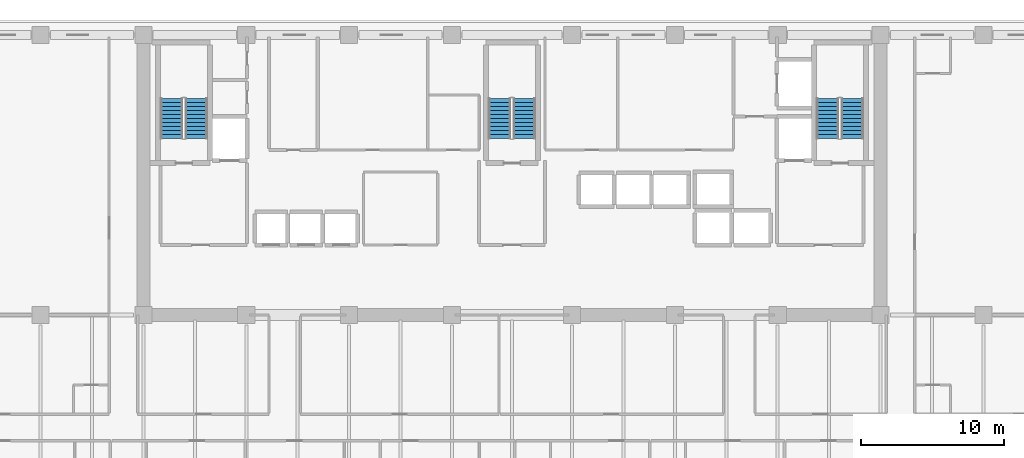
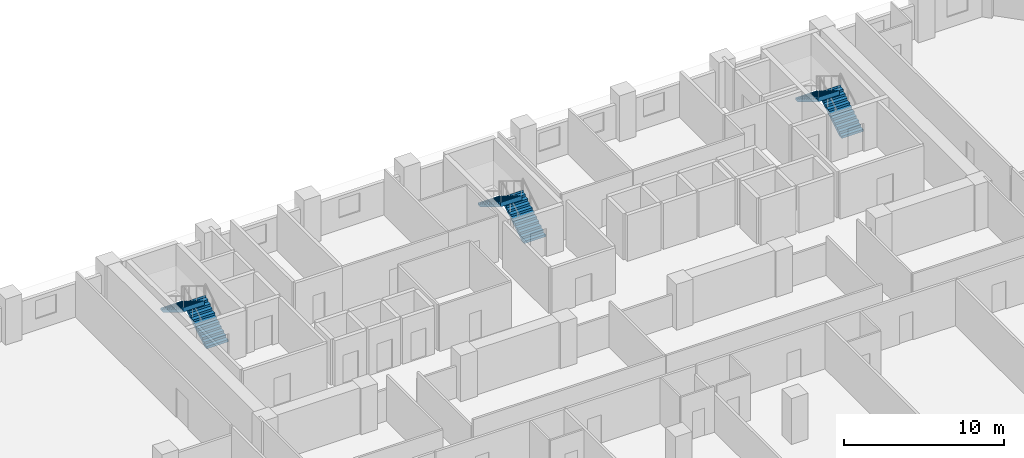
# One storey, part 10 of 14: 6 stair flights, 3 elements without a shape of their own.
"""IFC4 building model written with IfcOpenShell, lengths in metres."""

from ifc_helpers import new_model, si_unit, direction, frame, origin, place, context, subcontext, project, spatial, polyline, outline, extrude, material, type_object, element, aggregate, save


model = new_model("IFC4")

# Units and contexts
model_context = context("Model", 3, precision=1e-05, world=origin(), true_north=direction((0.0, 1.0)))
body_context = subcontext(model_context, "Body", "Model", "MODEL_VIEW")
ifc_project = project(units=[si_unit("LENGTHUNIT", "METRE"), si_unit("AREAUNIT", "SQUARE_METRE"), si_unit("VOLUMEUNIT", "CUBIC_METRE"), si_unit("PLANEANGLEUNIT", "RADIAN"), si_unit("MASSUNIT", "GRAM", prefix="KILO")], contexts=[model_context])

# Site, building, storey
site_placement = place(None, origin())
site = spatial("IfcSite", under=ifc_project, at=site_placement, CompositionType="ELEMENT")
building_placement = place(site_placement, origin())
building = spatial("IfcBuilding", under=site, at=building_placement, Name="Kaelvorn Grand Hotel", CompositionType="ELEMENT")
storey_placement = place(building_placement, frame((0.0, 0.0, 85.550048828125)))
storey = spatial("IfcBuildingStorey", under=building, at=storey_placement, Name="L19", CompositionType="ELEMENT", Elevation=85.550048828125)

# Stair, stair flights
ifc_material = material(Name="Concrete C40/50", Category="concrete")
stair_type = type_object("IfcStairType", Name="STR-DOG-1560-R06", PredefinedType="HALF_TURN_STAIR", material=ifc_material)
stair_1_placement = place(storey_placement, origin())
stair_1 = element("IfcStair", 1, at=stair_1_placement, inside=storey, type_object=stair_type, Name="L19 West Core Exit Stair ST1", PredefinedType="HALF_TURN_STAIR")
stair_flight_type = type_object("IfcStairFlightType", Name="FLG-DOG-1560-R06", PredefinedType="STRAIGHT", material=ifc_material)
stair_flight_1_placement = place(storey_placement, frame((19.89990234375, 41.760009765625, 0.0), z_axis=(0.0, 0.0, 1.0), x_axis=(0.0, 1.0, 0.0)))
stair_flight_1 = element("IfcStairFlight", 2, at=stair_flight_1_placement, type_object=stair_flight_type, Name="ST1 flight 1", NumberOfRisers=11, NumberOfTreads=10, PredefinedType="STRAIGHT", RiserHeight=0.170454545, TreadLength=0.28, context=body_context, shape_type="SweptSolid", body=[
    extrude(outline(polyline([(-0.0048828125, 0.0), (-0.0048828125, 0.0400390625), (0.0, 0.17041015625), (0.280029296875, 0.17041015625), (0.280029296875, 0.3408203125), (0.56005859375, 0.3408203125), (0.56005859375, 0.511474609375), (0.840087890625, 0.511474609375), (0.840087890625, 0.681884765625), (1.1201171875, 0.681884765625), (1.1201171875, 0.852294921875), (1.39990234375, 0.852294921875), (1.39990234375, 1.022705078125), (1.679931640625, 1.022705078125), (1.679931640625, 1.193115234375), (1.9599609375, 1.193115234375), (1.9599609375, 1.363525390625), (2.239990234375, 1.363525390625), (2.239990234375, 1.5341796875), (2.52001953125, 1.5341796875), (2.52001953125, 1.70458984375), (2.800048828125, 1.70458984375), (2.800048828125, 1.875), (2.804931640625, 1.875), (2.804931640625, 1.529052734375), (0.288330078125, 0.0), (-0.0048828125, 0.0)])), frame((0.0, 0.780029296875, 0.0), z_axis=(0.0, -1.0, 0.0), x_axis=(1.0, 0.0, 0.0)), (0.0, 0.0, 1.0), 1.56005859375),
])
stair_flight_2_placement = place(storey_placement, frame((18.179931640625, 44.56005859375, 1.875), z_axis=(0.0, 0.0, 1.0), x_axis=(0.0, -1.0, 0.0)))
stair_flight_2 = element("IfcStairFlight", 3, at=stair_flight_2_placement, type_object=stair_flight_type, Name="ST1 flight 2", NumberOfRisers=11, NumberOfTreads=10, PredefinedType="STRAIGHT", RiserHeight=0.170454545, TreadLength=0.28, context=body_context, shape_type="SweptSolid", body=[
    extrude(outline(polyline([(-0.0048828125, 0.0), (-0.0048828125, 0.0400390625), (0.0, 0.17041015625), (0.280029296875, 0.17041015625), (0.280029296875, 0.3408203125), (0.56005859375, 0.3408203125), (0.56005859375, 0.511474609375), (0.840087890625, 0.511474609375), (0.840087890625, 0.681884765625), (1.1201171875, 0.681884765625), (1.1201171875, 0.852294921875), (1.39990234375, 0.852294921875), (1.39990234375, 1.022705078125), (1.679931640625, 1.022705078125), (1.679931640625, 1.193115234375), (1.9599609375, 1.193115234375), (1.9599609375, 1.363525390625), (2.239990234375, 1.363525390625), (2.239990234375, 1.5341796875), (2.52001953125, 1.5341796875), (2.52001953125, 1.70458984375), (2.800048828125, 1.70458984375), (2.800048828125, 1.875), (2.804931640625, 1.875), (2.804931640625, 1.529052734375), (0.288330078125, 0.0), (-0.0048828125, 0.0)])), frame((0.0, 0.780029296875, 0.0), z_axis=(0.0, -1.0, 0.0), x_axis=(1.0, 0.0, 0.0)), (0.0, 0.0, 1.0), 1.56005859375),
])
aggregate(stair_1, [stair_flight_1, stair_flight_2])

stair_2_placement = place(storey_placement, origin())
stair_2 = element("IfcStair", 4, at=stair_2_placement, inside=storey, type_object=stair_type, Name="L19 Central Core Exit Stair ST2", PredefinedType="HALF_TURN_STAIR")
stair_flight_3_placement = place(storey_placement, frame((42.860107421875, 41.760009765625, 0.0), z_axis=(0.0, 0.0, 1.0), x_axis=(0.0, 1.0, 0.0)))
stair_flight_3 = element("IfcStairFlight", 5, at=stair_flight_3_placement, type_object=stair_flight_type, Name="ST2 flight 1", NumberOfRisers=11, NumberOfTreads=10, PredefinedType="STRAIGHT", RiserHeight=0.170454545, TreadLength=0.28, context=body_context, shape_type="SweptSolid", body=[
    extrude(outline(polyline([(-0.0048828125, 0.0), (-0.0048828125, 0.0400390625), (0.0, 0.17041015625), (0.280029296875, 0.17041015625), (0.280029296875, 0.3408203125), (0.56005859375, 0.3408203125), (0.56005859375, 0.511474609375), (0.840087890625, 0.511474609375), (0.840087890625, 0.681884765625), (1.1201171875, 0.681884765625), (1.1201171875, 0.852294921875), (1.39990234375, 0.852294921875), (1.39990234375, 1.022705078125), (1.679931640625, 1.022705078125), (1.679931640625, 1.193115234375), (1.9599609375, 1.193115234375), (1.9599609375, 1.363525390625), (2.239990234375, 1.363525390625), (2.239990234375, 1.5341796875), (2.52001953125, 1.5341796875), (2.52001953125, 1.70458984375), (2.800048828125, 1.70458984375), (2.800048828125, 1.875), (2.804931640625, 1.875), (2.804931640625, 1.529052734375), (0.288330078125, 0.0), (-0.0048828125, 0.0)])), frame((0.0, 0.780029296875, 0.0), z_axis=(0.0, -1.0, 0.0), x_axis=(1.0, 0.0, 0.0)), (0.0, 0.0, 1.0), 1.56005859375),
])
stair_flight_4_placement = place(storey_placement, frame((41.139892578125, 44.56005859375, 1.875), z_axis=(0.0, 0.0, 1.0), x_axis=(0.0, -1.0, 0.0)))
stair_flight_4 = element("IfcStairFlight", 6, at=stair_flight_4_placement, type_object=stair_flight_type, Name="ST2 flight 2", NumberOfRisers=11, NumberOfTreads=10, PredefinedType="STRAIGHT", RiserHeight=0.170454545, TreadLength=0.28, context=body_context, shape_type="SweptSolid", body=[
    extrude(outline(polyline([(-0.0048828125, 0.0), (-0.0048828125, 0.0400390625), (0.0, 0.17041015625), (0.280029296875, 0.17041015625), (0.280029296875, 0.3408203125), (0.56005859375, 0.3408203125), (0.56005859375, 0.511474609375), (0.840087890625, 0.511474609375), (0.840087890625, 0.681884765625), (1.1201171875, 0.681884765625), (1.1201171875, 0.852294921875), (1.39990234375, 0.852294921875), (1.39990234375, 1.022705078125), (1.679931640625, 1.022705078125), (1.679931640625, 1.193115234375), (1.9599609375, 1.193115234375), (1.9599609375, 1.363525390625), (2.239990234375, 1.363525390625), (2.239990234375, 1.5341796875), (2.52001953125, 1.5341796875), (2.52001953125, 1.70458984375), (2.800048828125, 1.70458984375), (2.800048828125, 1.875), (2.804931640625, 1.875), (2.804931640625, 1.529052734375), (0.288330078125, 0.0), (-0.0048828125, 0.0)])), frame((0.0, 0.780029296875, 0.0), z_axis=(0.0, -1.0, 0.0), x_axis=(1.0, 0.0, 0.0)), (0.0, 0.0, 1.0), 1.56005859375),
])
aggregate(stair_2, [stair_flight_3, stair_flight_4])

stair_3_placement = place(storey_placement, origin())
stair_3 = element("IfcStair", 7, at=stair_3_placement, inside=storey, type_object=stair_type, Name="L19 East Core Exit Stair ST3", PredefinedType="HALF_TURN_STAIR")
stair_flight_5_placement = place(storey_placement, frame((65.820068359375, 41.760009765625, 0.0), z_axis=(0.0, 0.0, 1.0), x_axis=(0.0, 1.0, 0.0)))
stair_flight_5 = element("IfcStairFlight", 8, at=stair_flight_5_placement, type_object=stair_flight_type, Name="ST3 flight 1", NumberOfRisers=11, NumberOfTreads=10, PredefinedType="STRAIGHT", RiserHeight=0.170454545, TreadLength=0.28, context=body_context, shape_type="SweptSolid", body=[
    extrude(outline(polyline([(-0.0048828125, 0.0), (-0.0048828125, 0.0400390625), (0.0, 0.17041015625), (0.280029296875, 0.17041015625), (0.280029296875, 0.3408203125), (0.56005859375, 0.3408203125), (0.56005859375, 0.511474609375), (0.840087890625, 0.511474609375), (0.840087890625, 0.681884765625), (1.1201171875, 0.681884765625), (1.1201171875, 0.852294921875), (1.39990234375, 0.852294921875), (1.39990234375, 1.022705078125), (1.679931640625, 1.022705078125), (1.679931640625, 1.193115234375), (1.9599609375, 1.193115234375), (1.9599609375, 1.363525390625), (2.239990234375, 1.363525390625), (2.239990234375, 1.5341796875), (2.52001953125, 1.5341796875), (2.52001953125, 1.70458984375), (2.800048828125, 1.70458984375), (2.800048828125, 1.875), (2.804931640625, 1.875), (2.804931640625, 1.529052734375), (0.288330078125, 0.0), (-0.0048828125, 0.0)])), frame((0.0, 0.780029296875, 0.0), z_axis=(0.0, -1.0, 0.0), x_axis=(1.0, 0.0, 0.0)), (0.0, 0.0, 1.0), 1.56005859375),
])
stair_flight_6_placement = place(storey_placement, frame((64.10009765625, 44.56005859375, 1.875), z_axis=(0.0, 0.0, 1.0), x_axis=(0.0, -1.0, 0.0)))
stair_flight_6 = element("IfcStairFlight", 9, at=stair_flight_6_placement, type_object=stair_flight_type, Name="ST3 flight 2", NumberOfRisers=11, NumberOfTreads=10, PredefinedType="STRAIGHT", RiserHeight=0.170454545, TreadLength=0.28, context=body_context, shape_type="SweptSolid", body=[
    extrude(outline(polyline([(-0.0048828125, 0.0), (-0.0048828125, 0.0400390625), (0.0, 0.17041015625), (0.280029296875, 0.17041015625), (0.280029296875, 0.3408203125), (0.56005859375, 0.3408203125), (0.56005859375, 0.511474609375), (0.840087890625, 0.511474609375), (0.840087890625, 0.681884765625), (1.1201171875, 0.681884765625), (1.1201171875, 0.852294921875), (1.39990234375, 0.852294921875), (1.39990234375, 1.022705078125), (1.679931640625, 1.022705078125), (1.679931640625, 1.193115234375), (1.9599609375, 1.193115234375), (1.9599609375, 1.363525390625), (2.239990234375, 1.363525390625), (2.239990234375, 1.5341796875), (2.52001953125, 1.5341796875), (2.52001953125, 1.70458984375), (2.800048828125, 1.70458984375), (2.800048828125, 1.875), (2.804931640625, 1.875), (2.804931640625, 1.529052734375), (0.288330078125, 0.0), (-0.0048828125, 0.0)])), frame((0.0, 0.780029296875, 0.0), z_axis=(0.0, -1.0, 0.0), x_axis=(1.0, 0.0, 0.0)), (0.0, 0.0, 1.0), 1.56005859375),
])
aggregate(stair_3, [stair_flight_5, stair_flight_6])

save(model, "model.ifc")
